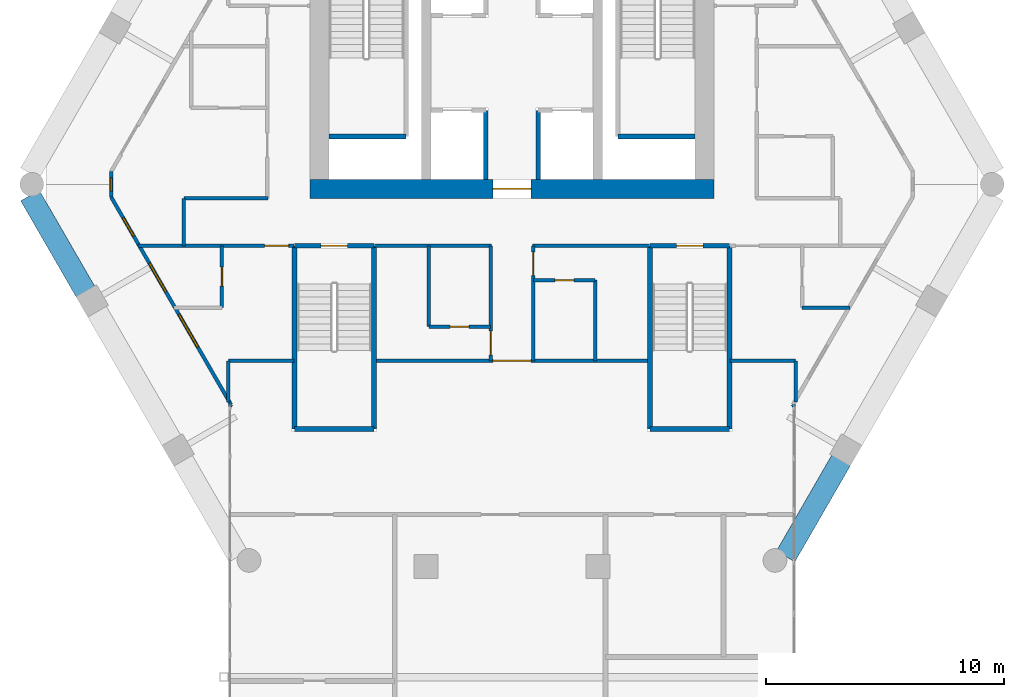
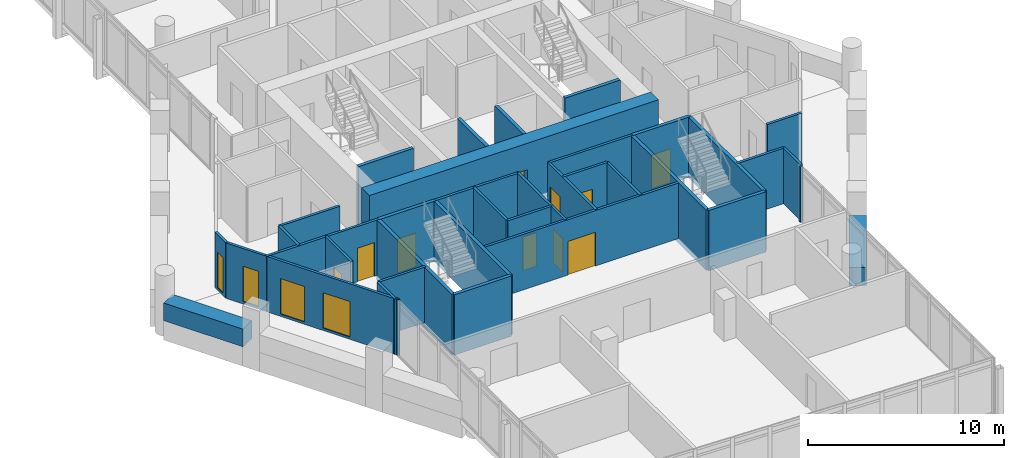
# One storey, part 25 of 29: 37 walls, 10 doors, 4 windows, 14 openings.
"""IFC4 building model written with IfcOpenShell, lengths in metres."""

from ifc_helpers import new_model, si_unit, direction, frame, frame_2d, origin, place, context, subcontext, project, spatial, rectangle, extrude, material, layer, layer_set, type_object, element, fill, save


model = new_model("IFC4")

# Units and contexts
model_context = context("Model", 3, precision=1e-05, world=origin(), true_north=direction((0.0, 1.0)))
body_context = subcontext(model_context, "Body", "Model", "MODEL_VIEW")
ifc_project = project(units=[si_unit("LENGTHUNIT", "METRE"), si_unit("AREAUNIT", "SQUARE_METRE"), si_unit("VOLUMEUNIT", "CUBIC_METRE"), si_unit("PLANEANGLEUNIT", "RADIAN"), si_unit("MASSUNIT", "GRAM", prefix="KILO")], contexts=[model_context])

# Site, building, storey
site_placement = place(None, origin())
site = spatial("IfcSite", under=ifc_project, at=site_placement, CompositionType="ELEMENT")
building_placement = place(site_placement, origin())
building = spatial("IfcBuilding", under=site, at=building_placement, Name="Ostrander Bayou Hotel Tower", CompositionType="ELEMENT")
storey_placement = place(building_placement, frame((0.0, 0.0, 202.0)))
storey = spatial("IfcBuildingStorey", under=building, at=storey_placement, Name="L50", CompositionType="ELEMENT", Elevation=202.0)

# Wall, opening, door
ifc_material_1 = material(Name="Concrete f'c 60 MPa", Category="concrete")
ifc_layer_1 = layer(ifc_material_1, 0.800048828125)
ifc_layer_set_1 = layer_set([ifc_layer_1], Name="CW7 core wall 800 mm f'c 60 MPa")
wall_type_1 = type_object("IfcWallType", Name="CW7 core wall 800 mm f'c 60 MPa", PredefinedType="SHEAR", material=ifc_layer_set_1)
wall_1_placement = place(storey_placement, frame((-8.5, -1.300048828125, -0.300048828125), z_axis=(0.0, 0.0, 1.0), x_axis=(1.0, 0.0, 0.0)))
wall_1 = element("IfcWall", 1, at=wall_1_placement, inside=storey, type_object=wall_type_1, Name="CW7 L50 S", PredefinedType="SHEAR", context=body_context, shape_type="SweptSolid", body=[
    extrude(rectangle(XDim=17.0, YDim=0.800048828125, at=frame_2d((8.5, 0.0))), origin(), (0.0, 0.0, 1.0), 3.75),
])
opening_1_placement = place(wall_1_placement, frame((7.699951171875, 0.0, 0.0)))
opening_1 = element("IfcOpeningElement", 2, at=opening_1_placement, cuts=wall_1, Name="Opening T50-005", PredefinedType="OPENING", context=body_context, shape_type="SweptSolid", body=[
    extrude(rectangle(XDim=1.60009765625, YDim=2.10009765625, at=frame_2d((0.800048828125, 1.050048828125))), frame((0.0, 0.39990234375, 0.0), z_axis=(0.0, -1.0, 0.0), x_axis=(1.0, 0.0, 0.0)), (0.0, 0.0, 1.0), 0.800048828125),
])
ifc_material_2 = material(Name="Timber door leaf", Category="wood")
door_type_1 = type_object("IfcDoorType", Name="D13 double door 1600 x 2100 mm, 1 hour", OperationType="SINGLE_SWING_LEFT", PredefinedType="DOOR", material=ifc_material_2)
door_1_placement = place(opening_1_placement, origin())
door_1 = element("IfcDoor", 3, at=door_1_placement, inside=storey, type_object=door_type_1, Name="dr:L50:005", OperationType="DOUBLE_DOOR_SINGLE_SWING", OverallHeight=2.10009765625, OverallWidth=1.60009765625, PredefinedType="DOOR", context=body_context, shape_type="SweptSolid", body=[
    extrude(rectangle(XDim=1.60009765625, YDim=2.10009765625, at=frame_2d((0.800048828125, 1.050048828125))), frame((0.0, 0.02490234375, 0.0), z_axis=(0.0, -1.0, 0.0), x_axis=(1.0, 0.0, 0.0)), (0.0, 0.0, 1.0), 0.050048828125),
])
fill(opening_1, door_1)

# Wall, openings, windows
ifc_material_3 = material(Name="Aluminium framed insulated wall", Category="aluminium")
ifc_layer_2 = layer(ifc_material_3, 0.14990234375)
ifc_layer_set_2 = layer_set([ifc_layer_2], Name="GW1 glass-line wall 150 mm")
wall_type_2 = type_object("IfcWallType", Name="GW1 glass-line wall 150 mm", PredefinedType="SOLIDWALL", material=ifc_layer_set_2)
wall_2_placement = place(storey_placement, frame((-16.861328125, -1.645263671875, 0.0), z_axis=(0.0, 0.0, 1.0), x_axis=(0.499993749393, -0.866029012544, 0.0)))
wall_2 = element("IfcWall", 4, at=wall_2_placement, inside=storey, type_object=wall_type_2, Name="GW1 L50 SW 1", PredefinedType="SOLIDWALL", context=body_context, shape_type="SweptSolid", body=[
    extrude(rectangle(XDim=10.074951171875, YDim=0.14990234375, at=frame_2d((5.03759765625, 0.0))), origin(), (0.0, 0.0, 1.0), 3.449951171875),
])
opening_2_placement = place(wall_2_placement, frame((1.005859375, 0.0, 0.14990234375)))
opening_2 = element("IfcOpeningElement", 5, at=opening_2_placement, cuts=wall_2, Name="Opening W17", PredefinedType="OPENING", context=body_context, shape_type="SweptSolid", body=[
    extrude(rectangle(XDim=0.89990234375, YDim=2.199951171875, at=frame_2d((0.449951171875, 1.10009765625))), frame((0.0, 0.074951171875, 0.0), z_axis=(0.0, -1.0, 0.0), x_axis=(1.0, 0.0, 0.0)), (0.0, 0.0, 1.0), 0.14990234375),
])
opening_3_placement = place(wall_2_placement, frame((3.205810546875, 0.0, 0.14990234375)))
opening_3 = element("IfcOpeningElement", 6, at=opening_3_placement, cuts=wall_2, Name="Opening W13", PredefinedType="OPENING", context=body_context, shape_type="SweptSolid", body=[
    extrude(rectangle(XDim=1.39990234375, YDim=2.199951171875, at=frame_2d((0.699951171875, 1.10009765625))), frame((0.0, 0.074951171875, 0.0), z_axis=(0.0, -1.0, 0.0), x_axis=(1.0, 0.0, 0.0)), (0.0, 0.0, 1.0), 0.14990234375),
])
opening_4_placement = place(wall_2_placement, frame((5.69873046875, 0.0, 0.14990234375)))
opening_4 = element("IfcOpeningElement", 7, at=opening_4_placement, cuts=wall_2, Name="Opening W9", PredefinedType="OPENING", context=body_context, shape_type="SweptSolid", body=[
    extrude(rectangle(XDim=1.60009765625, YDim=2.199951171875, at=frame_2d((0.800048828125, 1.10009765625))), frame((0.0, 0.074951171875, 0.0), z_axis=(0.0, -1.0, 0.0), x_axis=(1.0, 0.0, 0.0)), (0.0, 0.0, 1.0), 0.14990234375),
])
ifc_material_4 = material(Name="Aluminium and clear glass", Category="aluminium")
window_type_1 = type_object("IfcWindowType", Name="W13 fixed window 1400 mm, bath bay, zone 3", PartitioningType="SINGLE_PANEL", PredefinedType="WINDOW", material=ifc_material_4)
window_1_placement = place(opening_3_placement, origin())
window_1 = element("IfcWindow", 8, at=window_1_placement, inside=storey, type_object=window_type_1, Name="W13 L50 SW 1", OverallHeight=2.199951171875, OverallWidth=1.39990234375, PartitioningType="SINGLE_PANEL", PredefinedType="WINDOW", context=body_context, shape_type="SweptSolid", body=[
    extrude(rectangle(XDim=1.39990234375, YDim=2.199951171875, at=frame_2d((0.699951171875, 1.10009765625))), frame((0.0, 0.030029296875, 0.0), z_axis=(0.0, -1.0, 0.0), x_axis=(1.0, 0.0, 0.0)), (0.0, 0.0, 1.0), 0.06005859375),
])
fill(opening_3, window_1)
ifc_material_5 = material(Name="Aluminium and clear glass", Category="aluminium")
window_type_2 = type_object("IfcWindowType", Name="W17 window 900 mm, zone 3", PartitioningType="SINGLE_PANEL", PredefinedType="WINDOW", material=ifc_material_5)
window_2_placement = place(opening_2_placement, origin())
window_2 = element("IfcWindow", 9, at=window_2_placement, inside=storey, type_object=window_type_2, Name="W17 L50 SW 1", OverallHeight=2.199951171875, OverallWidth=0.89990234375, PartitioningType="SINGLE_PANEL", PredefinedType="WINDOW", context=body_context, shape_type="SweptSolid", body=[
    extrude(rectangle(XDim=0.89990234375, YDim=2.199951171875, at=frame_2d((0.449951171875, 1.10009765625))), frame((0.0, 0.030029296875, 0.0), z_axis=(0.0, -1.0, 0.0), x_axis=(1.0, 0.0, 0.0)), (0.0, 0.0, 1.0), 0.06005859375),
])
fill(opening_2, window_2)
ifc_material_6 = material(Name="Aluminium and clear glass", Category="aluminium")
window_type_3 = type_object("IfcWindowType", Name="W9 fixed window 1600 mm, bar storeys, zone 3", PartitioningType="SINGLE_PANEL", PredefinedType="WINDOW", material=ifc_material_6)
window_3_placement = place(opening_4_placement, origin())
window_3 = element("IfcWindow", 10, at=window_3_placement, inside=storey, type_object=window_type_3, Name="W9 L50 SW 2", OverallHeight=2.199951171875, OverallWidth=1.60009765625, PartitioningType="SINGLE_PANEL", PredefinedType="WINDOW", context=body_context, shape_type="SweptSolid", body=[
    extrude(rectangle(XDim=1.60009765625, YDim=2.199951171875, at=frame_2d((0.800048828125, 1.10009765625))), frame((0.0, 0.030029296875, 0.0), z_axis=(0.0, -1.0, 0.0), x_axis=(1.0, 0.0, 0.0)), (0.0, 0.0, 1.0), 0.06005859375),
])
fill(opening_4, window_3)

# Wall, opening, window
wall_3_placement = place(storey_placement, frame((-16.861328125, -0.580322265625, 0.0), z_axis=(0.0, 0.0, 1.0), x_axis=(0.0, -1.0, 0.0)))
wall_3 = element("IfcWall", 11, at=wall_3_placement, inside=storey, type_object=wall_type_2, Name="GW1 L50 corner 2", PredefinedType="SOLIDWALL", context=body_context, shape_type="SweptSolid", body=[
    extrude(rectangle(XDim=1.06494140625, YDim=0.14990234375, at=frame_2d((0.532470703125, 0.0))), origin(), (0.0, 0.0, 1.0), 3.449951171875),
])
opening_5_placement = place(wall_3_placement, frame((0.257568359375, 0.0, 0.14990234375)))
opening_5 = element("IfcOpeningElement", 12, at=opening_5_placement, cuts=wall_3, Name="Opening W19", PredefinedType="OPENING", context=body_context, shape_type="SweptSolid", body=[
    extrude(rectangle(XDim=0.550048828125, YDim=2.199951171875, at=frame_2d((0.27490234375, 1.10009765625))), frame((0.0, 0.074951171875, 0.0), z_axis=(0.0, -1.0, 0.0), x_axis=(1.0, 0.0, 0.0)), (0.0, 0.0, 1.0), 0.14990234375),
])
ifc_material_7 = material(Name="Aluminium and clear glass", Category="aluminium")
window_type_4 = type_object("IfcWindowType", Name="W19 corner window 550 mm", PartitioningType="SINGLE_PANEL", PredefinedType="WINDOW", material=ifc_material_7)
window_4_placement = place(opening_5_placement, origin())
window_4 = element("IfcWindow", 13, at=window_4_placement, inside=storey, type_object=window_type_4, Name="W19 L50 corner 2", OverallHeight=2.199951171875, OverallWidth=0.550048828125, PartitioningType="SINGLE_PANEL", PredefinedType="WINDOW", context=body_context, shape_type="SweptSolid", body=[
    extrude(rectangle(XDim=0.550048828125, YDim=2.199951171875, at=frame_2d((0.27490234375, 1.10009765625))), frame((0.0, 0.030029296875, 0.0), z_axis=(0.0, -1.0, 0.0), x_axis=(1.0, 0.0, 0.0)), (0.0, 0.0, 1.0), 0.06005859375),
])
fill(opening_5, window_4)

# Walls
for number, where, z_axis, x_axis, name in (
    (14, (-11.823974609375, -10.370361328125, 0.0), (0.0, 0.0, 1.0), (-0.338543167143, -0.940950861619, 0.0), "GW1 L50 bar joint 2"),
    (15, (11.823974609375, -10.370361328125, 0.0), (0.0, 0.0, 1.0), (0.338543167143, -0.940950861619, 0.0), "GW1 L50 bar joint 3"),
):
    element("IfcWall", number, at=place(storey_placement, frame(where, z_axis=z_axis, x_axis=x_axis)), inside=storey, type_object=wall_type_2, Name=name, PredefinedType="SOLIDWALL", context=body_context, shape_type="SweptSolid", body=[
        extrude(rectangle(XDim=0.09814453125, YDim=0.14990234375, at=frame_2d((0.049072265625, 0.0))), origin(), (0.0, 0.0, 1.0), 3.449951171875),
    ])
ifc_material_8 = material(Name="Limestone masonry", Category="masonry")
ifc_layer_3 = layer(ifc_material_8, 0.89990234375)
ifc_layer_set_3 = layer_set([ifc_layer_3], Name="PA2 limestone parapet 900 mm")
wall_type_3 = type_object("IfcWallType", Name="PA2 limestone parapet 900 mm", PredefinedType="PARAPET", material=ifc_layer_set_3)
for number, where, z_axis, x_axis, name in (
    (16, (-20.275146484375, -1.58251953125, 0.0), (0.0, 0.0, 1.0), (0.500028081597, -0.86600919026, 0.0), "PA2 L50 SW-1"),
    (17, (11.508056640625, -16.767578125, 0.0), (0.0, 0.0, 1.0), (0.499966354109, 0.866044828377, 0.0), "PA2 L50 SE-1"),
):
    element("IfcWall", number, at=place(storey_placement, frame(where, z_axis=z_axis, x_axis=x_axis)), inside=storey, type_object=wall_type_3, Name=name, PredefinedType="PARAPET", context=body_context, shape_type="SweptSolid", body=[
        extrude(rectangle(XDim=4.678955078125, YDim=0.89990234375, at=frame_2d((2.33935546875, 0.0))), origin(), (0.0, 0.0, 1.0), 1.10009765625),
    ])
ifc_material_9 = material(Name="Masonry block", Category="masonry")
ifc_layer_4 = layer(ifc_material_9, 0.199951171875)
ifc_layer_set_4 = layer_set([ifc_layer_4], Name="PT6 lift shaft wall 200 mm masonry, 2 hour")
wall_type_4 = type_object("IfcWallType", Name="PT6 lift shaft wall 200 mm masonry, 2 hour", PredefinedType="PARTITIONING", material=ifc_layer_set_4)
for number, where, z_axis, x_axis, name in (
    (18, (-1.10009765625, -0.89990234375, 0.0), (0.0, 0.0, 1.0), (0.0, 1.0, 0.0), "cs:L50:005"),
    (19, (1.10009765625, -0.89990234375, 0.0), (0.0, 0.0, 1.0), (0.0, 1.0, 0.0), "cs:L50:006"),
):
    element("IfcWall", number, at=place(storey_placement, frame(where, z_axis=z_axis, x_axis=x_axis)), inside=storey, type_object=wall_type_4, Name=name, PredefinedType="PARTITIONING", context=body_context, shape_type="SweptSolid", body=[
        extrude(rectangle(XDim=2.89990234375, YDim=0.199951171875, at=frame_2d((1.449951171875, 0.0))), origin(), (0.0, 0.0, 1.0), 3.449951171875),
    ])
ifc_material_10 = material(Name="Gypsum board partition", Category="finish")
ifc_layer_5 = layer(ifc_material_10, 0.14990234375)
ifc_layer_set_5 = layer_set([ifc_layer_5], Name="PT8 service band wall 150 mm, 1 hour")
wall_type_5 = type_object("IfcWallType", Name="PT8 service band wall 150 mm, 1 hour", PredefinedType="PARTITIONING", material=ifc_layer_set_5)
wall_4_placement = place(storey_placement, frame((-11.929931640625, -8.534912109375, 0.0), z_axis=(0.0, 0.0, 1.0), x_axis=(1.0, 0.0, 0.0)))
element("IfcWall", 20, at=wall_4_placement, inside=storey, type_object=wall_type_5, Name="gw:L50:001", PredefinedType="PARTITIONING", context=body_context, shape_type="SweptSolid", body=[
    extrude(rectangle(XDim=2.77001953125, YDim=0.14990234375, at=frame_2d((1.385009765625, 0.0))), origin(), (0.0, 0.0, 1.0), 3.449951171875),
])

# Wall, opening, door
wall_5_placement = place(storey_placement, frame((-5.7900390625, -8.534912109375, 0.0), z_axis=(0.0, 0.0, 1.0), x_axis=(1.0, 0.0, 0.0)))
wall_5 = element("IfcWall", 21, at=wall_5_placement, inside=storey, type_object=wall_type_5, Name="gw:L50:002", PredefinedType="PARTITIONING", context=body_context, shape_type="SweptSolid", body=[
    extrude(rectangle(XDim=11.580078125, YDim=0.14990234375, at=frame_2d((5.7900390625, 0.0))), origin(), (0.0, 0.0, 1.0), 3.449951171875),
])
opening_6_placement = place(wall_5_placement, frame((4.989990234375, 0.0, 0.0)))
opening_6 = element("IfcOpeningElement", 22, at=opening_6_placement, cuts=wall_5, Name="Opening T50-1211", PredefinedType="OPENING", context=body_context, shape_type="SweptSolid", body=[
    extrude(rectangle(XDim=1.60009765625, YDim=2.10009765625, at=frame_2d((0.800048828125, 1.050048828125))), frame((0.0, 0.074951171875, 0.0), z_axis=(0.0, -1.0, 0.0), x_axis=(1.0, 0.0, 0.0)), (0.0, 0.0, 1.0), 0.14990234375),
])
door_2_placement = place(opening_6_placement, origin())
door_2 = element("IfcDoor", 23, at=door_2_placement, inside=storey, type_object=door_type_1, Name="dr:L50:1211", OperationType="DOUBLE_DOOR_SINGLE_SWING", OverallHeight=2.10009765625, OverallWidth=1.60009765625, PredefinedType="DOOR", context=body_context, shape_type="SweptSolid", body=[
    extrude(rectangle(XDim=1.60009765625, YDim=2.10009765625, at=frame_2d((0.800048828125, 1.050048828125))), frame((0.0, 0.02490234375, 0.0), z_axis=(0.0, -1.0, 0.0), x_axis=(1.0, 0.0, 0.0)), (0.0, 0.0, 1.0), 0.050048828125),
])
fill(opening_6, door_2)

# Wall
wall_6_placement = place(storey_placement, frame((9.159912109375, -8.534912109375, 0.0), z_axis=(0.0, 0.0, 1.0), x_axis=(1.0, 0.0, 0.0)))
element("IfcWall", 24, at=wall_6_placement, inside=storey, type_object=wall_type_5, Name="gw:L50:003", PredefinedType="PARTITIONING", context=body_context, shape_type="SweptSolid", body=[
    extrude(rectangle(XDim=2.77001953125, YDim=0.14990234375, at=frame_2d((1.385009765625, 0.0))), origin(), (0.0, 0.0, 1.0), 3.449951171875),
])

# Wall, opening, door
wall_7_placement = place(storey_placement, frame((-3.5, -7.10009765625, 0.0), z_axis=(0.0, 0.0, 1.0), x_axis=(1.0, 0.0, 0.0)))
wall_7 = element("IfcWall", 25, at=wall_7_placement, inside=storey, type_object=wall_type_5, Name="gw:L50:004", PredefinedType="PARTITIONING", context=body_context, shape_type="SweptSolid", body=[
    extrude(rectangle(XDim=2.60009765625, YDim=0.14990234375, at=frame_2d((1.300048828125, 0.0))), origin(), (0.0, 0.0, 1.0), 3.449951171875),
])
opening_7_placement = place(wall_7_placement, frame((0.89990234375, 0.0, 0.0)))
opening_7 = element("IfcOpeningElement", 26, at=opening_7_placement, cuts=wall_7, Name="Opening T50-403", PredefinedType="OPENING", context=body_context, shape_type="SweptSolid", body=[
    extrude(rectangle(XDim=0.800048828125, YDim=2.10009765625, at=frame_2d((0.39990234375, 1.050048828125))), frame((0.0, 0.074951171875, 0.0), z_axis=(0.0, -1.0, 0.0), x_axis=(1.0, 0.0, 0.0)), (0.0, 0.0, 1.0), 0.14990234375),
])
ifc_material_11 = material(Name="Timber door leaf", Category="wood")
door_type_2 = type_object("IfcDoorType", Name="D2 bathroom door 800 x 2100 mm", OperationType="SINGLE_SWING_LEFT", PredefinedType="DOOR", material=ifc_material_11)
door_3_placement = place(opening_7_placement, origin())
door_3 = element("IfcDoor", 27, at=door_3_placement, inside=storey, type_object=door_type_2, Name="dr:L50:403", OperationType="SINGLE_SWING_RIGHT", OverallHeight=2.10009765625, OverallWidth=0.800048828125, PredefinedType="DOOR", context=body_context, shape_type="SweptSolid", body=[
    extrude(rectangle(XDim=0.800048828125, YDim=2.10009765625, at=frame_2d((0.39990234375, 1.050048828125))), frame((0.0, 0.02490234375, 0.0), z_axis=(0.0, -1.0, 0.0), x_axis=(1.0, 0.0, 0.0)), (0.0, 0.0, 1.0), 0.050048828125),
])
fill(opening_7, door_3)

# Wall
wall_8_placement = place(storey_placement, frame((12.199951171875, -6.300048828125, 0.0), z_axis=(0.0, 0.0, 1.0), x_axis=(1.0, 0.0, 0.0)))
element("IfcWall", 28, at=wall_8_placement, inside=storey, type_object=wall_type_5, Name="gw:L50:006", PredefinedType="PARTITIONING", context=body_context, shape_type="SweptSolid", body=[
    extrude(rectangle(XDim=2.026123046875, YDim=0.14990234375, at=frame_2d((1.01318359375, 0.0))), origin(), (0.0, 0.0, 1.0), 3.449951171875),
])

# Wall, opening, door
wall_9_placement = place(storey_placement, frame((0.89990234375, -5.14501953125, 0.0), z_axis=(0.0, 0.0, 1.0), x_axis=(1.0, 0.0, 0.0)))
wall_9 = element("IfcWall", 29, at=wall_9_placement, inside=storey, type_object=wall_type_5, Name="gw:L50:007", PredefinedType="PARTITIONING", context=body_context, shape_type="SweptSolid", body=[
    extrude(rectangle(XDim=2.60009765625, YDim=0.14990234375, at=frame_2d((1.300048828125, 0.0))), origin(), (0.0, 0.0, 1.0), 3.449951171875),
])
opening_8_placement = place(wall_9_placement, frame((0.89990234375, 0.0, 0.0)))
opening_8 = element("IfcOpeningElement", 30, at=opening_8_placement, cuts=wall_9, Name="Opening T50-405", PredefinedType="OPENING", context=body_context, shape_type="SweptSolid", body=[
    extrude(rectangle(XDim=0.800048828125, YDim=2.10009765625, at=frame_2d((0.39990234375, 1.050048828125))), frame((0.0, 0.074951171875, 0.0), z_axis=(0.0, -1.0, 0.0), x_axis=(1.0, 0.0, 0.0)), (0.0, 0.0, 1.0), 0.14990234375),
])
door_4_placement = place(opening_8_placement, origin())
door_4 = element("IfcDoor", 31, at=door_4_placement, inside=storey, type_object=door_type_2, Name="dr:L50:405", OperationType="SINGLE_SWING_LEFT", OverallHeight=2.10009765625, OverallWidth=0.800048828125, PredefinedType="DOOR", context=body_context, shape_type="SweptSolid", body=[
    extrude(rectangle(XDim=0.800048828125, YDim=2.10009765625, at=frame_2d((0.39990234375, 1.050048828125))), frame((0.0, 0.02490234375, 0.0), z_axis=(0.0, -1.0, 0.0), x_axis=(1.0, 0.0, 0.0)), (0.0, 0.0, 1.0), 0.050048828125),
])
fill(opening_8, door_4)

wall_10_placement = place(storey_placement, frame((-15.72705078125, -3.699951171875, 0.0), z_axis=(0.0, 0.0, 1.0), x_axis=(1.0, 0.0, 0.0)))
wall_10 = element("IfcWall", 32, at=wall_10_placement, inside=storey, type_object=wall_type_5, Name="gw:L50:008", PredefinedType="PARTITIONING", context=body_context, shape_type="SweptSolid", body=[
    extrude(rectangle(XDim=6.567138671875, YDim=0.14990234375, at=frame_2d((3.28369140625, 0.0))), origin(), (0.0, 0.0, 1.0), 3.449951171875),
])
opening_9_placement = place(wall_10_placement, frame((5.326904296875, 0.0, 0.0)))
opening_9 = element("IfcOpeningElement", 33, at=opening_9_placement, cuts=wall_10, Name="Opening T50-400", PredefinedType="OPENING", context=body_context, shape_type="SweptSolid", body=[
    extrude(rectangle(XDim=1.0, YDim=2.10009765625, at=frame_2d((0.5, 1.050048828125))), frame((0.0, 0.074951171875, 0.0), z_axis=(0.0, -1.0, 0.0), x_axis=(1.0, 0.0, 0.0)), (0.0, 0.0, 1.0), 0.14990234375),
])
ifc_material_12 = material(Name="Timber door leaf", Category="wood")
door_type_3 = type_object("IfcDoorType", Name="D1 guest room door 1000 x 2100 mm, 30 minute", OperationType="SINGLE_SWING_LEFT", PredefinedType="DOOR", material=ifc_material_12)
door_5_placement = place(opening_9_placement, origin())
door_5 = element("IfcDoor", 34, at=door_5_placement, inside=storey, type_object=door_type_3, Name="dr:L50:400", OperationType="SINGLE_SWING_RIGHT", OverallHeight=2.10009765625, OverallWidth=1.0, PredefinedType="DOOR", context=body_context, shape_type="SweptSolid", body=[
    extrude(rectangle(XDim=1.0, YDim=2.10009765625, at=frame_2d((0.5, 1.050048828125))), frame((0.0, 0.02490234375, 0.0), z_axis=(0.0, -1.0, 0.0), x_axis=(1.0, 0.0, 0.0)), (0.0, 0.0, 1.0), 0.050048828125),
])
fill(opening_9, door_5)

# Walls
for number, where, z_axis, x_axis, name in (
    (35, (-5.7900390625, -3.699951171875, 0.0), (0.0, 0.0, 1.0), (1.0, 0.0, 0.0), "gw:L50:009"),
    (36, (0.860107421875, -3.699951171875, 0.0), (0.0, 0.0, 1.0), (1.0, 0.0, 0.0), "gw:L50:010"),
):
    element("IfcWall", number, at=place(storey_placement, frame(where, z_axis=z_axis, x_axis=x_axis)), inside=storey, type_object=wall_type_5, Name=name, PredefinedType="PARTITIONING", context=body_context, shape_type="SweptSolid", body=[
        extrude(rectangle(XDim=4.929931640625, YDim=0.14990234375, at=frame_2d((2.46484375, 0.0))), origin(), (0.0, 0.0, 1.0), 3.449951171875),
    ])
wall_11_placement = place(storey_placement, frame((-13.800048828125, -1.699951171875, 0.0), z_axis=(0.0, 0.0, 1.0), x_axis=(1.0, 0.0, 0.0)))
element("IfcWall", 37, at=wall_11_placement, inside=storey, type_object=wall_type_5, Name="gw:L50:012", PredefinedType="PARTITIONING", context=body_context, shape_type="SweptSolid", body=[
    extrude(rectangle(XDim=3.5400390625, YDim=0.14990234375, at=frame_2d((1.77001953125, 0.0))), origin(), (0.0, 0.0, 1.0), 3.449951171875),
])
wall_12_placement = place(storey_placement, frame((11.929931640625, -10.277099609375, 0.0), z_axis=(0.0, 0.0, 1.0), x_axis=(0.0, 1.0, 0.0)))
element("IfcWall", 38, at=wall_12_placement, inside=storey, type_object=wall_type_5, Name="gw:L50:023", PredefinedType="PARTITIONING", context=body_context, shape_type="SweptSolid", body=[
    extrude(rectangle(XDim=1.7421875, YDim=0.14990234375, at=frame_2d((0.87109375, 0.0))), origin(), (0.0, 0.0, 1.0), 3.449951171875),
])
wall_13_placement = place(storey_placement, frame((3.5, -8.534912109375, 0.0), z_axis=(0.0, 0.0, 1.0), x_axis=(0.0, 1.0, 0.0)))
element("IfcWall", 39, at=wall_13_placement, inside=storey, type_object=wall_type_5, Name="gw:L50:026", PredefinedType="PARTITIONING", context=body_context, shape_type="SweptSolid", body=[
    extrude(rectangle(XDim=3.389892578125, YDim=0.14990234375, at=frame_2d((1.69482421875, 0.0))), origin(), (0.0, 0.0, 1.0), 3.449951171875),
])

# Wall, opening, door
wall_14_placement = place(storey_placement, frame((0.89990234375, -8.534912109375, 0.0), z_axis=(0.0, 0.0, 1.0), x_axis=(0.0, 1.0, 0.0)))
wall_14 = element("IfcWall", 40, at=wall_14_placement, inside=storey, type_object=wall_type_5, Name="gw:L50:027", PredefinedType="PARTITIONING", context=body_context, shape_type="SweptSolid", body=[
    extrude(rectangle(XDim=4.8349609375, YDim=0.14990234375, at=frame_2d((2.41748046875, 0.0))), origin(), (0.0, 0.0, 1.0), 3.449951171875),
])
opening_10_placement = place(wall_14_placement, frame((3.5849609375, 0.0, 0.0)))
opening_10 = element("IfcOpeningElement", 41, at=opening_10_placement, cuts=wall_14, Name="Opening T50-404", PredefinedType="OPENING", context=body_context, shape_type="SweptSolid", body=[
    extrude(rectangle(XDim=1.0, YDim=2.10009765625, at=frame_2d((0.5, 1.050048828125))), frame((0.0, 0.074951171875, 0.0), z_axis=(0.0, -1.0, 0.0), x_axis=(1.0, 0.0, 0.0)), (0.0, 0.0, 1.0), 0.14990234375),
])
door_6_placement = place(opening_10_placement, origin())
door_6 = element("IfcDoor", 42, at=door_6_placement, inside=storey, type_object=door_type_3, Name="dr:L50:404", OperationType="SINGLE_SWING_RIGHT", OverallHeight=2.10009765625, OverallWidth=1.0, PredefinedType="DOOR", context=body_context, shape_type="SweptSolid", body=[
    extrude(rectangle(XDim=1.0, YDim=2.10009765625, at=frame_2d((0.5, 1.050048828125))), frame((0.0, 0.02490234375, 0.0), z_axis=(0.0, -1.0, 0.0), x_axis=(1.0, 0.0, 0.0)), (0.0, 0.0, 1.0), 0.050048828125),
])
fill(opening_10, door_6)

wall_15_placement = place(storey_placement, frame((-0.89990234375, -8.534912109375, 0.0), z_axis=(0.0, 0.0, 1.0), x_axis=(0.0, 1.0, 0.0)))
wall_15 = element("IfcWall", 43, at=wall_15_placement, inside=storey, type_object=wall_type_5, Name="gw:L50:028", PredefinedType="PARTITIONING", context=body_context, shape_type="SweptSolid", body=[
    extrude(rectangle(XDim=4.8349609375, YDim=0.14990234375, at=frame_2d((2.41748046875, 0.0))), origin(), (0.0, 0.0, 1.0), 3.449951171875),
])
opening_11_placement = place(wall_15_placement, frame((0.25, 0.0, 0.0)))
opening_11 = element("IfcOpeningElement", 44, at=opening_11_placement, cuts=wall_15, Name="Opening T50-402", PredefinedType="OPENING", context=body_context, shape_type="SweptSolid", body=[
    extrude(rectangle(XDim=1.0, YDim=2.10009765625, at=frame_2d((0.5, 1.050048828125))), frame((0.0, 0.074951171875, 0.0), z_axis=(0.0, -1.0, 0.0), x_axis=(1.0, 0.0, 0.0)), (0.0, 0.0, 1.0), 0.14990234375),
])
door_7_placement = place(opening_11_placement, origin())
door_7 = element("IfcDoor", 45, at=door_7_placement, inside=storey, type_object=door_type_3, Name="dr:L50:402", OperationType="SINGLE_SWING_LEFT", OverallHeight=2.10009765625, OverallWidth=1.0, PredefinedType="DOOR", context=body_context, shape_type="SweptSolid", body=[
    extrude(rectangle(XDim=1.0, YDim=2.10009765625, at=frame_2d((0.5, 1.050048828125))), frame((0.0, 0.02490234375, 0.0), z_axis=(0.0, -1.0, 0.0), x_axis=(1.0, 0.0, 0.0)), (0.0, 0.0, 1.0), 0.050048828125),
])
fill(opening_11, door_7)

# Walls
wall_16_placement = place(storey_placement, frame((-3.5, -7.10009765625, 0.0), z_axis=(0.0, 0.0, 1.0), x_axis=(0.0, 1.0, 0.0)))
element("IfcWall", 46, at=wall_16_placement, inside=storey, type_object=wall_type_5, Name="gw:L50:029", PredefinedType="PARTITIONING", context=body_context, shape_type="SweptSolid", body=[
    extrude(rectangle(XDim=3.400146484375, YDim=0.14990234375, at=frame_2d((1.7001953125, 0.0))), origin(), (0.0, 0.0, 1.0), 3.449951171875),
])
wall_17_placement = place(storey_placement, frame((-11.929931640625, -10.277099609375, 0.0), z_axis=(0.0, 0.0, 1.0), x_axis=(0.0, 1.0, 0.0)))
element("IfcWall", 47, at=wall_17_placement, inside=storey, type_object=wall_type_5, Name="gw:L50:031", PredefinedType="PARTITIONING", context=body_context, shape_type="SweptSolid", body=[
    extrude(rectangle(XDim=1.7421875, YDim=0.14990234375, at=frame_2d((0.87109375, 0.0))), origin(), (0.0, 0.0, 1.0), 3.449951171875),
])

# Wall, opening, door
wall_18_placement = place(storey_placement, frame((-12.199951171875, -6.300048828125, 0.0), z_axis=(0.0, 0.0, 1.0), x_axis=(0.0, 1.0, 0.0)))
wall_18 = element("IfcWall", 48, at=wall_18_placement, inside=storey, type_object=wall_type_5, Name="gw:L50:033", PredefinedType="PARTITIONING", context=body_context, shape_type="SweptSolid", body=[
    extrude(rectangle(XDim=2.60009765625, YDim=0.14990234375, at=frame_2d((1.300048828125, 0.0))), origin(), (0.0, 0.0, 1.0), 3.449951171875),
])
opening_12_placement = place(wall_18_placement, frame((0.89990234375, 0.0, 0.0)))
opening_12 = element("IfcOpeningElement", 49, at=opening_12_placement, cuts=wall_18, Name="Opening T50-401", PredefinedType="OPENING", context=body_context, shape_type="SweptSolid", body=[
    extrude(rectangle(XDim=0.800048828125, YDim=2.10009765625, at=frame_2d((0.39990234375, 1.050048828125))), frame((0.0, 0.074951171875, 0.0), z_axis=(0.0, -1.0, 0.0), x_axis=(1.0, 0.0, 0.0)), (0.0, 0.0, 1.0), 0.14990234375),
])
door_8_placement = place(opening_12_placement, origin())
door_8 = element("IfcDoor", 50, at=door_8_placement, inside=storey, type_object=door_type_2, Name="dr:L50:401", OperationType="SINGLE_SWING_RIGHT", OverallHeight=2.10009765625, OverallWidth=0.800048828125, PredefinedType="DOOR", context=body_context, shape_type="SweptSolid", body=[
    extrude(rectangle(XDim=0.800048828125, YDim=2.10009765625, at=frame_2d((0.39990234375, 1.050048828125))), frame((0.0, 0.02490234375, 0.0), z_axis=(0.0, -1.0, 0.0), x_axis=(1.0, 0.0, 0.0)), (0.0, 0.0, 1.0), 0.050048828125),
])
fill(opening_12, door_8)

# Walls
wall_19_placement = place(storey_placement, frame((-13.800048828125, -3.699951171875, 0.0), z_axis=(0.0, 0.0, 1.0), x_axis=(0.0, 1.0, 0.0)))
element("IfcWall", 51, at=wall_19_placement, inside=storey, type_object=wall_type_5, Name="gw:L50:035", PredefinedType="PARTITIONING", context=body_context, shape_type="SweptSolid", body=[
    extrude(rectangle(XDim=2.0, YDim=0.14990234375, at=frame_2d((1.0, 0.0))), origin(), (0.0, 0.0, 1.0), 3.449951171875),
])
ifc_material_13 = material(Name="Concrete f'c 45 MPa", Category="concrete")
ifc_layer_6 = layer(ifc_material_13, 0.199951171875)
ifc_layer_set_6 = layer_set([ifc_layer_6], Name="SW5 stair enclosure wall 200 mm f'c 45 MPa")
wall_type_6 = type_object("IfcWallType", Name="SW5 stair enclosure wall 200 mm f'c 45 MPa", PredefinedType="SOLIDWALL", material=ifc_layer_set_6)
for number, where, z_axis, x_axis, name in (
    (52, (-7.699951171875, 0.89990234375, -0.300048828125), (0.0, 0.0, 1.0), (1.0, 0.0, 0.0), "cs:L50:010"),
    (53, (4.449951171875, 0.89990234375, -0.300048828125), (0.0, 0.0, 1.0), (1.0, 0.0, 0.0), "cs:L50:012"),
):
    element("IfcWall", number, at=place(storey_placement, frame(where, z_axis=z_axis, x_axis=x_axis)), inside=storey, type_object=wall_type_6, Name=name, PredefinedType="SOLIDWALL", context=body_context, shape_type="SweptSolid", body=[
        extrude(rectangle(XDim=3.25, YDim=0.199951171875, at=frame_2d((1.625, 0.0))), origin(), (0.0, 0.0, 1.0), 3.75),
    ])

# Wall, opening, door
wall_20_placement = place(storey_placement, frame((5.800048828125, -3.699951171875, -0.300048828125), z_axis=(0.0, 0.0, 1.0), x_axis=(1.0, 0.0, 0.0)))
wall_20 = element("IfcWall", 54, at=wall_20_placement, inside=storey, type_object=wall_type_6, Name="cs:L50:013", PredefinedType="SOLIDWALL", context=body_context, shape_type="SweptSolid", body=[
    extrude(rectangle(XDim=3.349853515625, YDim=0.199951171875, at=frame_2d((1.6748046875, 0.0))), origin(), (0.0, 0.0, 1.0), 3.75),
])
opening_13_placement = place(wall_20_placement, frame((1.125, 0.0, 0.0)))
opening_13 = element("IfcOpeningElement", 55, at=opening_13_placement, cuts=wall_20, Name="Opening T50-011", PredefinedType="OPENING", context=body_context, shape_type="SweptSolid", body=[
    extrude(rectangle(XDim=1.10009765625, YDim=2.10009765625, at=frame_2d((0.550048828125, 1.050048828125))), frame((0.0, 0.10009765625, 0.0), z_axis=(0.0, -1.0, 0.0), x_axis=(1.0, 0.0, 0.0)), (0.0, 0.0, 1.0), 0.199951171875),
])
ifc_material_14 = material(Name="Timber door leaf", Category="wood")
door_type_4 = type_object("IfcDoorType", Name="D5 stair door 1100 x 2100 mm, 90 minute", OperationType="SINGLE_SWING_LEFT", PredefinedType="DOOR", material=ifc_material_14)
door_9_placement = place(opening_13_placement, origin())
door_9 = element("IfcDoor", 56, at=door_9_placement, inside=storey, type_object=door_type_4, Name="dr:L50:011", OperationType="SINGLE_SWING_LEFT", OverallHeight=2.10009765625, OverallWidth=1.10009765625, PredefinedType="DOOR", context=body_context, shape_type="SweptSolid", body=[
    extrude(rectangle(XDim=1.10009765625, YDim=2.10009765625, at=frame_2d((0.550048828125, 1.050048828125))), frame((0.0, 0.02490234375, 0.0), z_axis=(0.0, -1.0, 0.0), x_axis=(1.0, 0.0, 0.0)), (0.0, 0.0, 1.0), 0.050048828125),
])
fill(opening_13, door_9)

# Walls
for number, where, z_axis, x_axis, name in (
    (57, (5.800048828125, -3.699951171875, -0.300048828125), (0.0, 0.0, 1.0), (0.0, -1.0, 0.0), "cs:L50:014"),
    (58, (9.14990234375, -3.699951171875, -0.300048828125), (0.0, 0.0, 1.0), (0.0, -1.0, 0.0), "cs:L50:015"),
):
    element("IfcWall", number, at=place(storey_placement, frame(where, z_axis=z_axis, x_axis=x_axis)), inside=storey, type_object=wall_type_6, Name=name, PredefinedType="SOLIDWALL", context=body_context, shape_type="SweptSolid", body=[
        extrude(rectangle(XDim=7.699951171875, YDim=0.199951171875, at=frame_2d((3.85009765625, 0.0))), origin(), (0.0, 0.0, 1.0), 3.75),
    ])
wall_21_placement = place(storey_placement, frame((5.800048828125, -11.39990234375, -0.300048828125), z_axis=(0.0, 0.0, 1.0), x_axis=(1.0, 0.0, 0.0)))
element("IfcWall", 59, at=wall_21_placement, inside=storey, type_object=wall_type_6, Name="cs:L50:016", PredefinedType="SOLIDWALL", context=body_context, shape_type="SweptSolid", body=[
    extrude(rectangle(XDim=3.349853515625, YDim=0.199951171875, at=frame_2d((1.6748046875, 0.0))), origin(), (0.0, 0.0, 1.0), 3.75),
])

# Wall, opening, door
wall_22_placement = place(storey_placement, frame((-9.14990234375, -3.699951171875, -0.300048828125), z_axis=(0.0, 0.0, 1.0), x_axis=(1.0, 0.0, 0.0)))
wall_22 = element("IfcWall", 60, at=wall_22_placement, inside=storey, type_object=wall_type_6, Name="cs:L50:017", PredefinedType="SOLIDWALL", context=body_context, shape_type="SweptSolid", body=[
    extrude(rectangle(XDim=3.349853515625, YDim=0.199951171875, at=frame_2d((1.6748046875, 0.0))), origin(), (0.0, 0.0, 1.0), 3.75),
])
opening_14_placement = place(wall_22_placement, frame((1.125, 0.0, 0.0)))
opening_14 = element("IfcOpeningElement", 61, at=opening_14_placement, cuts=wall_22, Name="Opening T50-012", PredefinedType="OPENING", context=body_context, shape_type="SweptSolid", body=[
    extrude(rectangle(XDim=1.10009765625, YDim=2.10009765625, at=frame_2d((0.550048828125, 1.050048828125))), frame((0.0, 0.10009765625, 0.0), z_axis=(0.0, -1.0, 0.0), x_axis=(1.0, 0.0, 0.0)), (0.0, 0.0, 1.0), 0.199951171875),
])
door_10_placement = place(opening_14_placement, origin())
door_10 = element("IfcDoor", 62, at=door_10_placement, inside=storey, type_object=door_type_4, Name="dr:L50:012", OperationType="SINGLE_SWING_LEFT", OverallHeight=2.10009765625, OverallWidth=1.10009765625, PredefinedType="DOOR", context=body_context, shape_type="SweptSolid", body=[
    extrude(rectangle(XDim=1.10009765625, YDim=2.10009765625, at=frame_2d((0.550048828125, 1.050048828125))), frame((0.0, 0.02490234375, 0.0), z_axis=(0.0, -1.0, 0.0), x_axis=(1.0, 0.0, 0.0)), (0.0, 0.0, 1.0), 0.050048828125),
])
fill(opening_14, door_10)

# Walls
for number, where, z_axis, x_axis, name in (
    (63, (-9.14990234375, -3.699951171875, -0.300048828125), (0.0, 0.0, 1.0), (0.0, -1.0, 0.0), "cs:L50:018"),
    (64, (-5.800048828125, -3.699951171875, -0.300048828125), (0.0, 0.0, 1.0), (0.0, -1.0, 0.0), "cs:L50:019"),
):
    element("IfcWall", number, at=place(storey_placement, frame(where, z_axis=z_axis, x_axis=x_axis)), inside=storey, type_object=wall_type_6, Name=name, PredefinedType="SOLIDWALL", context=body_context, shape_type="SweptSolid", body=[
        extrude(rectangle(XDim=7.699951171875, YDim=0.199951171875, at=frame_2d((3.85009765625, 0.0))), origin(), (0.0, 0.0, 1.0), 3.75),
    ])
wall_23_placement = place(storey_placement, frame((-9.14990234375, -11.39990234375, -0.300048828125), z_axis=(0.0, 0.0, 1.0), x_axis=(1.0, 0.0, 0.0)))
element("IfcWall", 65, at=wall_23_placement, inside=storey, type_object=wall_type_6, Name="cs:L50:020", PredefinedType="SOLIDWALL", context=body_context, shape_type="SweptSolid", body=[
    extrude(rectangle(XDim=3.349853515625, YDim=0.199951171875, at=frame_2d((1.6748046875, 0.0))), origin(), (0.0, 0.0, 1.0), 3.75),
])

save(model, "model.ifc")
